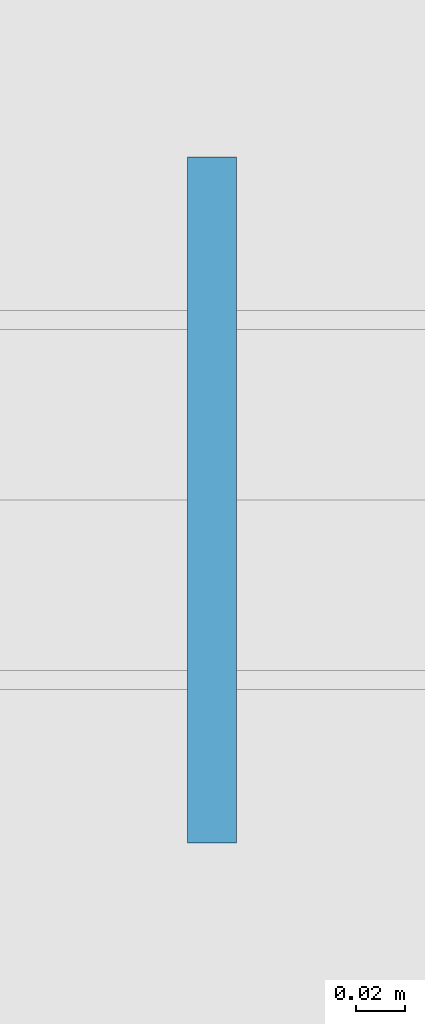
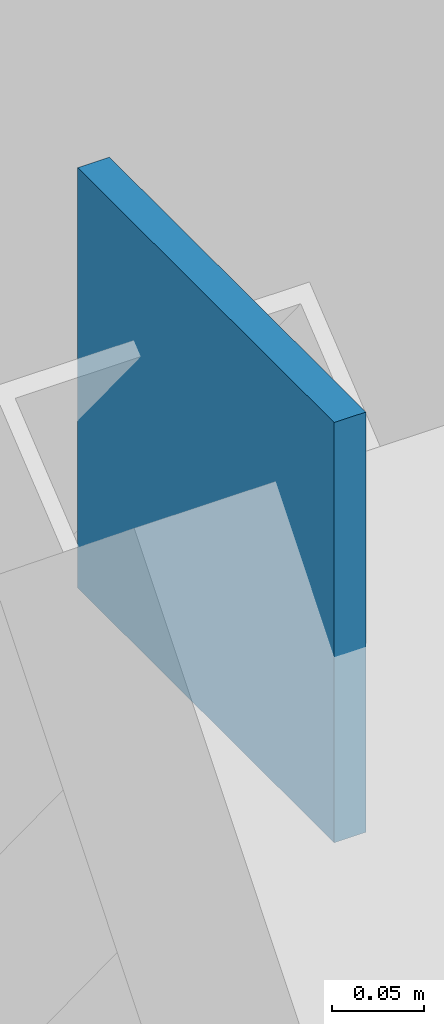
# One storey, part 173 of 211: 1 plate.
"""IFC4 building model written with IfcOpenShell, lengths in metres."""

from ifc_helpers import new_model, si_unit, direction, frame, origin, origin_2d, place, context, subcontext, project, spatial, rectangle, extrude, material, layer, layer_set, type_object, element, save


model = new_model("IFC4")

# Units and contexts
model_context = context("Model", 3, precision=1e-05, world=origin(), true_north=direction((0.0, 1.0)))
body_context = subcontext(model_context, "Body", "Model", "MODEL_VIEW")
ifc_project = project(units=[si_unit("LENGTHUNIT", "METRE"), si_unit("AREAUNIT", "SQUARE_METRE"), si_unit("VOLUMEUNIT", "CUBIC_METRE"), si_unit("PLANEANGLEUNIT", "RADIAN"), si_unit("MASSUNIT", "GRAM", prefix="KILO")], contexts=[model_context])

# Site, building, storey
site_placement = place(None, origin())
site = spatial("IfcSite", under=ifc_project, at=site_placement, CompositionType="ELEMENT")
building_placement = place(site_placement, origin())
building = spatial("IfcBuilding", under=site, at=building_placement, Name="Barlavento Convention Centre", CompositionType="ELEMENT")
storey_placement = place(building_placement, frame((0.0, 0.0, 6.0)))
storey = spatial("IfcBuildingStorey", under=building, at=storey_placement, Name="L01", CompositionType="ELEMENT", Elevation=6.0)

# Plate
ifc_material = material(Name="Steel S355", Category="steel")
ifc_layer = layer(ifc_material, 0.02001953125)
ifc_layer_set = layer_set([ifc_layer], Name="STR-PLT-CAP-280")
plate_type = type_object("IfcPlateType", Name="STR-PLT-CAP-280", PredefinedType="SHEET", material=ifc_layer_set)
plate_placement = place(storey_placement, frame((126.0, 85.5, 5.31982421875), z_axis=(0.0, 0.0, 1.0), x_axis=(1.0, 0.0, 0.0)))
element("IfcPlate", 1, at=plate_placement, inside=storey, type_object=plate_type, Name="Chevron brace gusset splice plate EC03", PredefinedType="SHEET", context=body_context, shape_type="SweptSolid", body=[
    extrude(rectangle(XDim=0.02001953125, YDim=0.280029296875, at=origin_2d()), origin(), (0.0, 0.0, 1.0), 0.280029296875),
])

save(model, "model.ifc")
